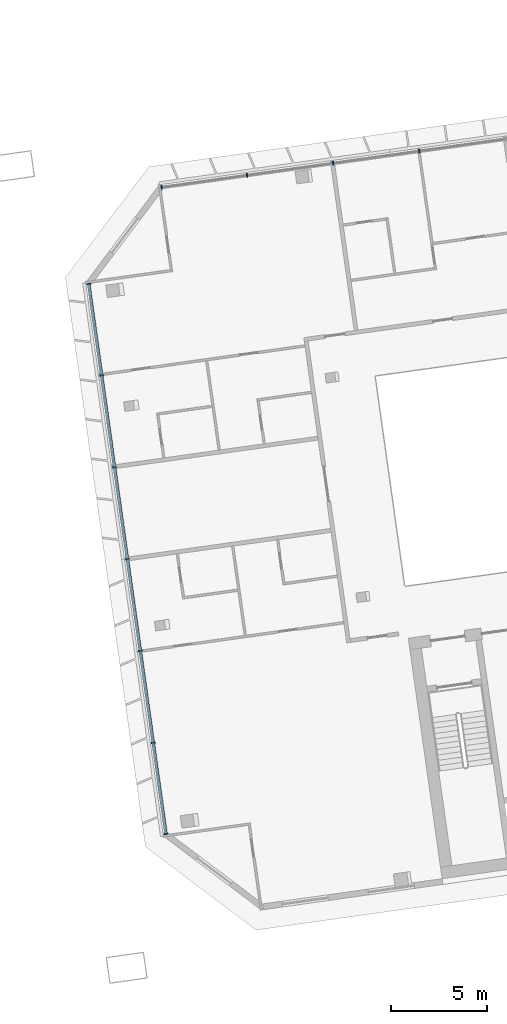
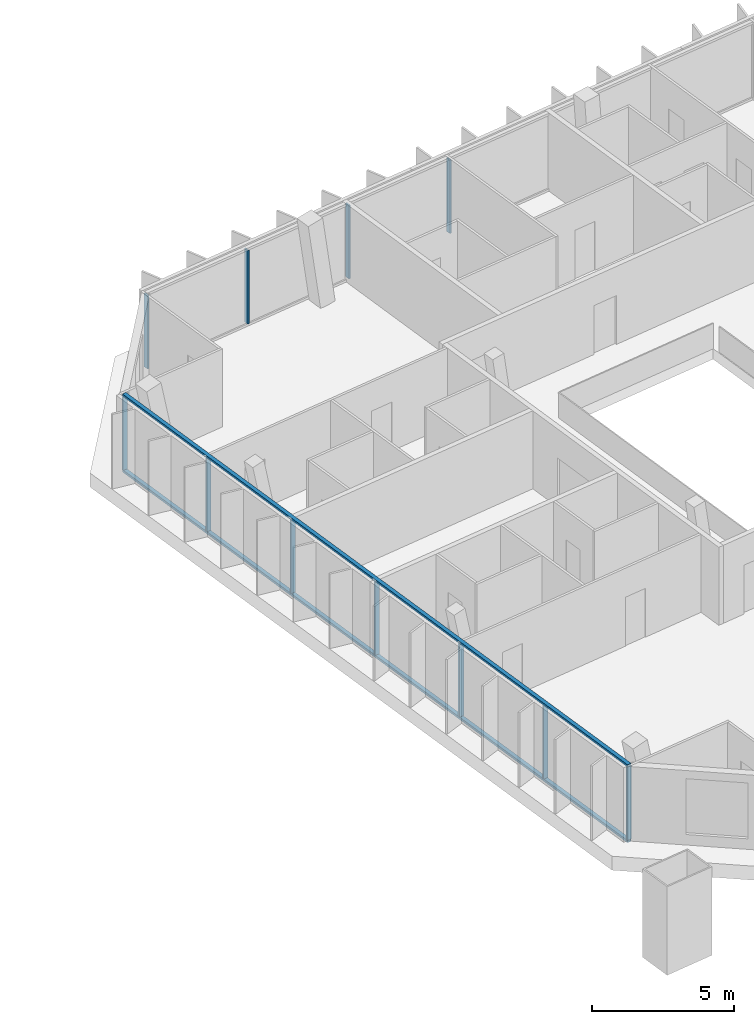
# One storey, part 6 of 19: 13 members, 2 elements without a shape of their own.
"""IFC4 building model written with IfcOpenShell, lengths in metres."""

from ifc_helpers import new_model, si_unit, direction, frame, origin, origin_2d, place, context, subcontext, project, spatial, rectangle, extrude, material, material_profile, profile_set, type_object, element, aggregate, save


model = new_model("IFC4")

# Units and contexts
model_context = context("Model", 3, precision=1e-05, world=origin(), true_north=direction((0.0, 1.0)))
body_context = subcontext(model_context, "Body", "Model", "MODEL_VIEW")
ifc_project = project(units=[si_unit("LENGTHUNIT", "METRE"), si_unit("AREAUNIT", "SQUARE_METRE"), si_unit("VOLUMEUNIT", "CUBIC_METRE"), si_unit("PLANEANGLEUNIT", "RADIAN"), si_unit("MASSUNIT", "GRAM", prefix="KILO")], contexts=[model_context])

# Site, building, storey
site_placement = place(None, origin())
site = spatial("IfcSite", under=ifc_project, at=site_placement, CompositionType="ELEMENT")
building_placement = place(site_placement, origin())
building = spatial("IfcBuilding", under=site, at=building_placement, Name="Mirante Cascada Hotel Towers", CompositionType="ELEMENT")
storey_placement = place(building_placement, frame((0.0, 0.0, 239.4)))
storey = spatial("IfcBuildingStorey", under=building, at=storey_placement, Name="L57", CompositionType="ELEMENT", Elevation=239.4)

# Curtain wall, members
ifc_material_1 = material(Name="Aluminium mullion and transom frame with clear laminated glass", Category="aluminium")
curtain_wall_type_1 = type_object("IfcCurtainWallType", Name="Ribbon curtain wall ECW1", PredefinedType="NOTDEFINED", material=ifc_material_1)
curtain_wall_1_placement = place(storey_placement, origin())
curtain_wall_1 = element("IfcCurtainWall", 1, at=curtain_wall_1_placement, inside=storey, type_object=curtain_wall_type_1, Name="Front ribbon wall T2 L57", PredefinedType="NOTDEFINED")
ifc_material_2 = material(Name="Anodised aluminium extrusion", Category="aluminium")
ifc_material_profile_1 = material_profile(ifc_material_2, rectangle(XDim=0.2, YDim=0.065, at=origin_2d()), Name="ECW1 MULLION 65x200")
ifc_profile_set_1 = profile_set([ifc_material_profile_1], Name="Anodised aluminium extrusion")
member_type_1 = type_object("IfcMemberType", Name="ECW1 mullion 65x200", PredefinedType="MULLION", material=ifc_profile_set_1)
member_1_placement = place(storey_placement, frame((36.1712, 17.9026, 0.1), z_axis=(0.0, 0.0, 1.0), x_axis=(0.1391731, -0.9902681, 0.0)))
member_1 = element("IfcMember", 2, at=member_1_placement, type_object=member_type_1, Name="ECW1 mullion 6", PredefinedType="MULLION", context=body_context, shape_type="SweptSolid", body=[
    extrude(rectangle(XDim=0.2, YDim=0.065, at=origin_2d()), origin(), (0.0, 0.0, 1.0), 3.15),
])
member_2_placement = place(storey_placement, frame((31.7037, 17.2747, 0.1), z_axis=(0.0, 0.0, 1.0), x_axis=(0.1391731, -0.9902681, 0.0)))
member_2 = element("IfcMember", 3, at=member_2_placement, type_object=member_type_1, Name="ECW1 mullion 7", PredefinedType="MULLION", context=body_context, shape_type="SweptSolid", body=[
    extrude(rectangle(XDim=0.2, YDim=0.065, at=origin_2d()), origin(), (0.0, 0.0, 1.0), 3.15),
])
member_3_placement = place(storey_placement, frame((27.2363, 16.6468, 0.1), z_axis=(0.0, 0.0, 1.0), x_axis=(0.1391731, -0.9902681, 0.0)))
member_3 = element("IfcMember", 4, at=member_3_placement, type_object=member_type_1, Name="ECW1 mullion 8", PredefinedType="MULLION", context=body_context, shape_type="SweptSolid", body=[
    extrude(rectangle(XDim=0.2, YDim=0.065, at=origin_2d()), origin(), (0.0, 0.0, 1.0), 3.15),
])
member_4_placement = place(storey_placement, frame((22.801, 16.0235, 0.1), z_axis=(0.0, 0.0, 1.0), x_axis=(0.1391731, -0.9902681, 0.0)))
member_4 = element("IfcMember", 5, at=member_4_placement, type_object=member_type_1, Name="ECW1 mullion 9", PredefinedType="MULLION", context=body_context, shape_type="SweptSolid", body=[
    extrude(rectangle(XDim=0.2, YDim=0.065, at=origin_2d()), origin(), (0.0, 0.0, 1.0), 3.15),
])
aggregate(curtain_wall_1, [member_1, member_2, member_3, member_4])

ifc_material_3 = material(Name="Aluminium mullion and transom frame with clear laminated glass", Category="aluminium")
curtain_wall_type_2 = type_object("IfcCurtainWallType", Name="End ribbon curtain wall ECW2", PredefinedType="NOTDEFINED", material=ifc_material_3)
curtain_wall_2_placement = place(storey_placement, origin())
curtain_wall_2 = element("IfcCurtainWall", 6, at=curtain_wall_2_placement, inside=storey, type_object=curtain_wall_type_2, Name="Inner end wall T2 L57", PredefinedType="NOTDEFINED")
ifc_material_4 = material(Name="Anodised aluminium extrusion", Category="aluminium")
ifc_material_profile_2 = material_profile(ifc_material_4, rectangle(XDim=0.2, YDim=0.065, at=origin_2d()), Name="ECW2 MULLION 65x200")
ifc_profile_set_2 = profile_set([ifc_material_profile_2], Name="Anodised aluminium extrusion")
member_type_2 = type_object("IfcMemberType", Name="ECW2 mullion 65x200", PredefinedType="MULLION", material=ifc_profile_set_2)
member_5_placement = place(storey_placement, frame((19.0182, 11.0035, 0.1), z_axis=(0.0, 0.0, 1.0), x_axis=(0.9902681, 0.1391731, 0.0)))
member_5 = element("IfcMember", 7, at=member_5_placement, type_object=member_type_2, Name="ECW2 mullion 1", PredefinedType="MULLION", context=body_context, shape_type="SweptSolid", body=[
    extrude(rectangle(XDim=0.2, YDim=0.065, at=origin_2d()), origin(), (0.0, 0.0, 1.0), 3.15),
])
member_6_placement = place(storey_placement, frame((19.6834, 6.2699, 0.1), z_axis=(0.0, 0.0, 1.0), x_axis=(0.9902681, 0.1391731, 0.0)))
member_6 = element("IfcMember", 8, at=member_6_placement, type_object=member_type_2, Name="ECW2 mullion 2", PredefinedType="MULLION", context=body_context, shape_type="SweptSolid", body=[
    extrude(rectangle(XDim=0.2, YDim=0.065, at=origin_2d()), origin(), (0.0, 0.0, 1.0), 3.15),
])
member_7_placement = place(storey_placement, frame((20.3532, 1.5042, 0.1), z_axis=(0.0, 0.0, 1.0), x_axis=(0.9902681, 0.1391731, 0.0)))
member_7 = element("IfcMember", 9, at=member_7_placement, type_object=member_type_2, Name="ECW2 mullion 3", PredefinedType="MULLION", context=body_context, shape_type="SweptSolid", body=[
    extrude(rectangle(XDim=0.2, YDim=0.065, at=origin_2d()), origin(), (0.0, 0.0, 1.0), 3.15),
])
member_8_placement = place(storey_placement, frame((21.023, -3.2616, 0.1), z_axis=(0.0, 0.0, 1.0), x_axis=(0.9902681, 0.1391731, 0.0)))
member_8 = element("IfcMember", 10, at=member_8_placement, type_object=member_type_2, Name="ECW2 mullion 4", PredefinedType="MULLION", context=body_context, shape_type="SweptSolid", body=[
    extrude(rectangle(XDim=0.2, YDim=0.065, at=origin_2d()), origin(), (0.0, 0.0, 1.0), 3.15),
])
member_9_placement = place(storey_placement, frame((21.6928, -8.0274, 0.1), z_axis=(0.0, 0.0, 1.0), x_axis=(0.9902681, 0.1391731, 0.0)))
member_9 = element("IfcMember", 11, at=member_9_placement, type_object=member_type_2, Name="ECW2 mullion 5", PredefinedType="MULLION", context=body_context, shape_type="SweptSolid", body=[
    extrude(rectangle(XDim=0.2, YDim=0.065, at=origin_2d()), origin(), (0.0, 0.0, 1.0), 3.15),
])
member_10_placement = place(storey_placement, frame((22.3626, -12.7932, 0.1), z_axis=(0.0, 0.0, 1.0), x_axis=(0.9902681, 0.1391731, 0.0)))
member_10 = element("IfcMember", 12, at=member_10_placement, type_object=member_type_2, Name="ECW2 mullion 6", PredefinedType="MULLION", context=body_context, shape_type="SweptSolid", body=[
    extrude(rectangle(XDim=0.2, YDim=0.065, at=origin_2d()), origin(), (0.0, 0.0, 1.0), 3.15),
])
member_11_placement = place(storey_placement, frame((23.0279, -17.5268, 0.1), z_axis=(0.0, 0.0, 1.0), x_axis=(0.9902681, 0.1391731, 0.0)))
member_11 = element("IfcMember", 13, at=member_11_placement, type_object=member_type_2, Name="ECW2 mullion 7", PredefinedType="MULLION", context=body_context, shape_type="SweptSolid", body=[
    extrude(rectangle(XDim=0.2, YDim=0.065, at=origin_2d()), origin(), (0.0, 0.0, 1.0), 3.15),
])
ifc_material_5 = material(Name="Anodised aluminium extrusion", Category="aluminium")
ifc_material_profile_3 = material_profile(ifc_material_5, rectangle(XDim=0.16, YDim=0.1, at=origin_2d()), Name="ECW2 TRANSOM 100x160")
ifc_profile_set_3 = profile_set([ifc_material_profile_3], Name="Anodised aluminium extrusion")
member_type_3 = type_object("IfcMemberType", Name="ECW2 transom 100x160", PredefinedType="USERDEFINED", material=ifc_profile_set_3)
member_12_placement = place(storey_placement, frame((19.0136, 11.0357, 0.05), z_axis=(0.1391757, -0.9902677, 0.0), x_axis=(0.9902677, 0.1391757, 0.0)))
member_12 = element("IfcMember", 14, at=member_12_placement, type_object=member_type_3, Name="ECW2 sill transom", ObjectType="TRANSOM", PredefinedType="USERDEFINED", context=body_context, shape_type="SweptSolid", body=[
    extrude(rectangle(XDim=0.16, YDim=0.1, at=origin_2d()), origin(), (0.0, 0.0, 1.0), 28.8757),
])
member_13_placement = place(storey_placement, frame((19.0136, 11.0357, 3.3), z_axis=(0.1391757, -0.9902677, 0.0), x_axis=(0.9902677, 0.1391757, 0.0)))
member_13 = element("IfcMember", 15, at=member_13_placement, type_object=member_type_3, Name="ECW2 head transom", ObjectType="TRANSOM", PredefinedType="USERDEFINED", context=body_context, shape_type="SweptSolid", body=[
    extrude(rectangle(XDim=0.16, YDim=0.1, at=origin_2d()), origin(), (0.0, 0.0, 1.0), 28.8757),
])
aggregate(curtain_wall_2, [member_12, member_13, member_5, member_6, member_7, member_8, member_9, member_10, member_11])

save(model, "model.ifc")
